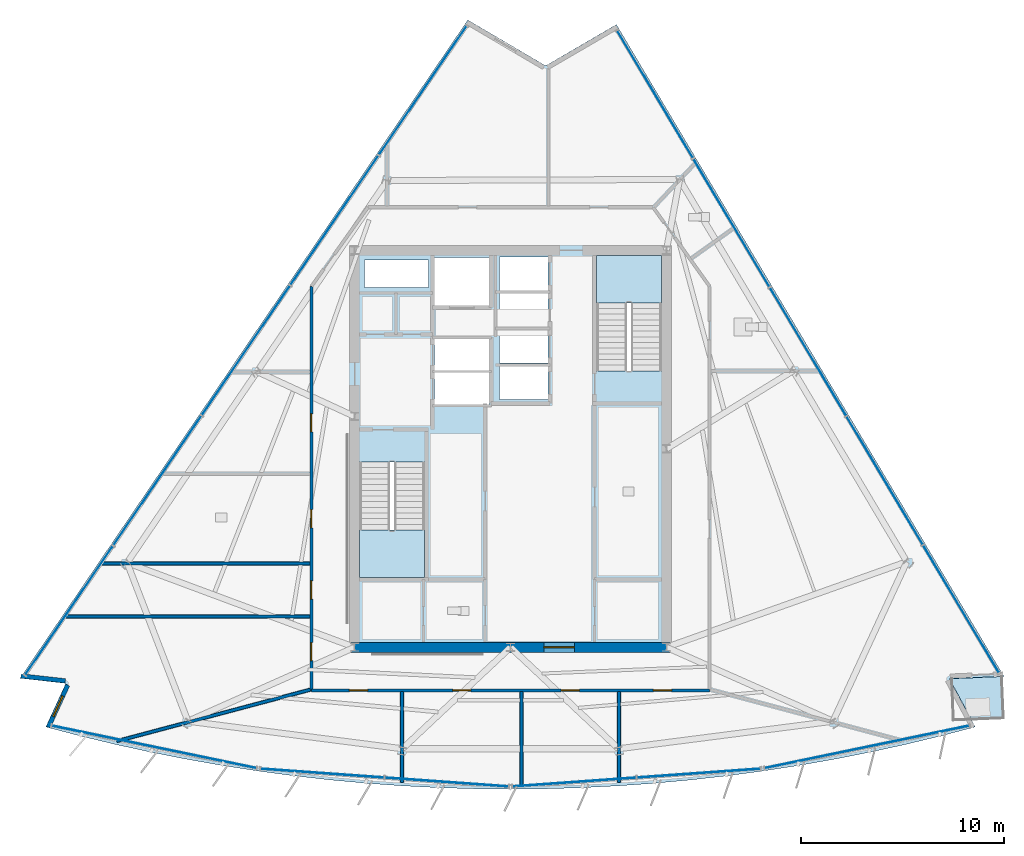
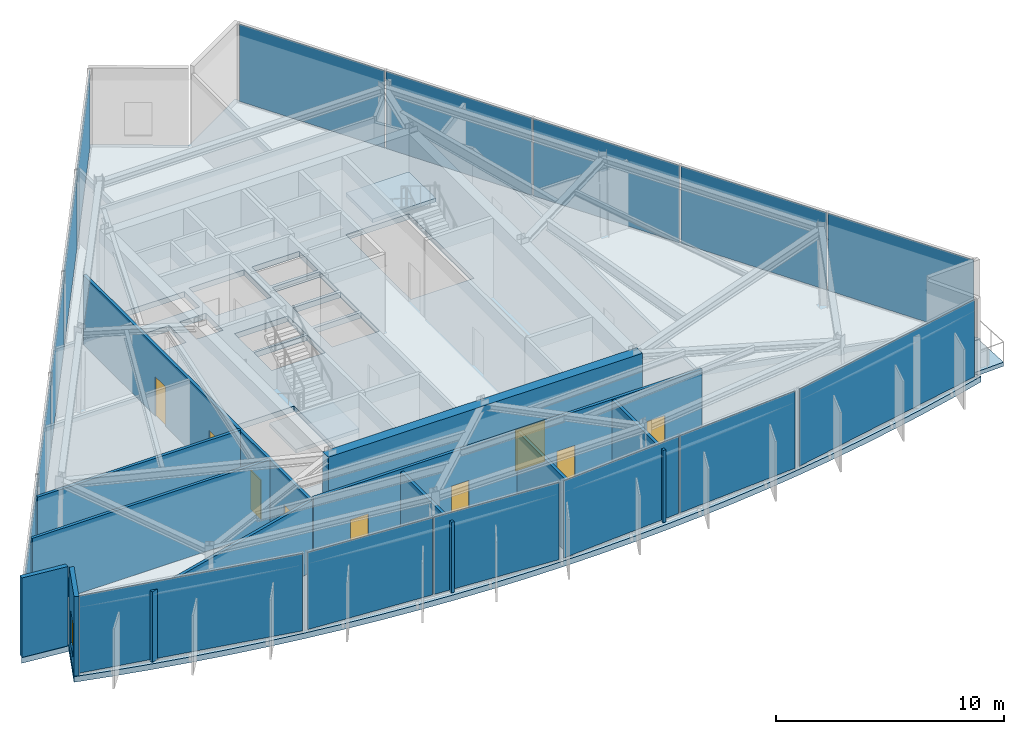
# One storey, part 6 of 12: 16 plates, 11 walls, 9 doors, 4 slabs, 1 window, 10 openings, 8 elements without a shape of their own.
"""IFC4 building model written with IfcOpenShell, lengths in metres."""

from ifc_helpers import new_model, si_unit, direction, frame, frame_2d, origin, origin_2d, place, context, subcontext, project, spatial, polyline, rectangle, outline, extrude, material, layer, layer_set, type_object, element, fill, aggregate, save


model = new_model("IFC4")

# Units and contexts
model_context = context("Model", 3, precision=1e-05, world=origin(), true_north=direction((0.0, 1.0)))
body_context = subcontext(model_context, "Body", "Model", "MODEL_VIEW")
ifc_project = project(units=[si_unit("LENGTHUNIT", "METRE"), si_unit("AREAUNIT", "SQUARE_METRE"), si_unit("VOLUMEUNIT", "CUBIC_METRE"), si_unit("PLANEANGLEUNIT", "RADIAN"), si_unit("MASSUNIT", "GRAM", prefix="KILO")], contexts=[model_context])

# Site, building, storey
site_placement = place(None, origin())
site = spatial("IfcSite", under=ifc_project, at=site_placement, CompositionType="ELEMENT")
building_placement = place(site_placement, origin())
building = spatial("IfcBuilding", under=site, at=building_placement, Name="Savorim Split Tower", CompositionType="ELEMENT")
storey_placement = place(building_placement, frame((0.0, 0.0, 246.300048828125)))
storey = spatial("IfcBuildingStorey", under=building, at=storey_placement, Name="L65", CompositionType="ELEMENT", Elevation=246.300048828125)

# Curtain wall, plate
ifc_material_1 = material(Name="Dark Ceramic-Fritted Insulated Glass", Category="glass")
curtain_wall_type = type_object("IfcCurtainWallType", Name="CW-SKY-ATRIUM", PredefinedType="NOTDEFINED", material=ifc_material_1)
curtain_wall_1_placement = place(storey_placement, origin())
curtain_wall_1 = element("IfcCurtainWall", 1, at=curtain_wall_1_placement, inside=storey, type_object=curtain_wall_type, Name="L65 Curtain Wall CW-L65-SF1", PredefinedType="NOTDEFINED")
ifc_layer_1 = layer(ifc_material_1, 0.028076171875)
ifc_layer_set_1 = layer_set([ifc_layer_1], Name="CWP-FRITA-28")
plate_type = type_object("IfcPlateType", Name="CWP-FRITA-28", PredefinedType="CURTAIN_PANEL", material=ifc_layer_set_1)
plate_1_placement = place(storey_placement, frame((-17.60107421875, -14.31982421875, 0.06005859375), z_axis=(0.0, 0.0, 1.0), x_axis=(0.979135673129, -0.20320761208, 0.0)))
plate_1 = element("IfcPlate", 2, at=plate_1_placement, type_object=plate_type, Name="CW-05 panel 1.1", PredefinedType="CURTAIN_PANEL", context=body_context, shape_type="SweptSolid", body=[
    extrude(rectangle(XDim=10.290283203125, YDim=0.028076171875, at=origin_2d()), origin(), (0.0, 0.0, 1.0), 4.1298828125),
])
aggregate(curtain_wall_1, [plate_1])

# Curtain wall, plates
curtain_wall_2_placement = place(storey_placement, origin())
curtain_wall_2 = element("IfcCurtainWall", 3, at=curtain_wall_2_placement, inside=storey, type_object=curtain_wall_type, Name="L65 Curtain Wall CW-L65-SF2", PredefinedType="NOTDEFINED")
plate_2_placement = place(storey_placement, frame((-9.289306640625, -15.616455078125, 0.06005859375), z_axis=(0.0, 0.0, 1.0), x_axis=(0.997436125678, -0.071562386711, 0.0)))
plate_2 = element("IfcPlate", 4, at=plate_2_placement, type_object=plate_type, Name="CW-05 panel 1.1", PredefinedType="CURTAIN_PANEL", context=body_context, shape_type="SweptSolid", body=[
    extrude(rectangle(XDim=6.081298828125, YDim=0.028076171875, at=origin_2d()), origin(), (0.0, 0.0, 1.0), 4.1298828125),
])
plate_3_placement = place(storey_placement, frame((-3.15380859375, -16.056640625, 0.06005859375), z_axis=(0.0, 0.0, 1.0), x_axis=(0.997436125678, -0.071562386711, 0.0)))
plate_3 = element("IfcPlate", 5, at=plate_3_placement, type_object=plate_type, Name="CW-05 panel 2.1", PredefinedType="CURTAIN_PANEL", context=body_context, shape_type="SweptSolid", body=[
    extrude(rectangle(XDim=6.081298828125, YDim=0.028076171875, at=origin_2d()), origin(), (0.0, 0.0, 1.0), 4.1298828125),
])
aggregate(curtain_wall_2, [plate_2, plate_3])

curtain_wall_3_placement = place(storey_placement, origin())
curtain_wall_3 = element("IfcCurtainWall", 6, at=curtain_wall_3_placement, inside=storey, type_object=curtain_wall_type, Name="L65 Curtain Wall CW-L65-SF3", PredefinedType="NOTDEFINED")
plate_4_placement = place(storey_placement, frame((3.15380859375, -16.056640625, 0.06005859375), z_axis=(0.0, 0.0, 1.0), x_axis=(0.997436125678, 0.071562386711, 0.0)))
plate_4 = element("IfcPlate", 7, at=plate_4_placement, type_object=plate_type, Name="CW-05 panel 1.1", PredefinedType="CURTAIN_PANEL", context=body_context, shape_type="SweptSolid", body=[
    extrude(rectangle(XDim=6.081298828125, YDim=0.028076171875, at=origin_2d()), origin(), (0.0, 0.0, 1.0), 4.1298828125),
])
plate_5_placement = place(storey_placement, frame((9.289306640625, -15.616455078125, 0.06005859375), z_axis=(0.0, 0.0, 1.0), x_axis=(0.997436125678, 0.071562386711, 0.0)))
plate_5 = element("IfcPlate", 8, at=plate_5_placement, type_object=plate_type, Name="CW-05 panel 2.1", PredefinedType="CURTAIN_PANEL", context=body_context, shape_type="SweptSolid", body=[
    extrude(rectangle(XDim=6.081298828125, YDim=0.028076171875, at=origin_2d()), origin(), (0.0, 0.0, 1.0), 4.1298828125),
])
aggregate(curtain_wall_3, [plate_4, plate_5])

# Curtain wall, plate
curtain_wall_4_placement = place(storey_placement, origin())
curtain_wall_4 = element("IfcCurtainWall", 9, at=curtain_wall_4_placement, inside=storey, type_object=curtain_wall_type, Name="L65 Curtain Wall CW-L65-SF4", PredefinedType="NOTDEFINED")
plate_6_placement = place(storey_placement, frame((17.60107421875, -14.31982421875, 0.06005859375), z_axis=(0.0, 0.0, 1.0), x_axis=(0.979135673129, 0.20320761208, 0.0)))
plate_6 = element("IfcPlate", 10, at=plate_6_placement, type_object=plate_type, Name="CW-05 panel 1.1", PredefinedType="CURTAIN_PANEL", context=body_context, shape_type="SweptSolid", body=[
    extrude(rectangle(XDim=10.290283203125, YDim=0.028076171875, at=origin_2d()), origin(), (0.0, 0.0, 1.0), 4.1298828125),
])
aggregate(curtain_wall_4, [plate_6])

# Curtain wall, plates
curtain_wall_5_placement = place(storey_placement, origin())
curtain_wall_5 = element("IfcCurtainWall", 11, at=curtain_wall_5_placement, inside=storey, type_object=curtain_wall_type, Name="L65 Curtain Wall CW-L65-EAST", PredefinedType="NOTDEFINED")
plate_7_placement = place(storey_placement, frame((22.25341796875, -7.509033203125, 0.06005859375), z_axis=(0.0, 0.0, 1.0), x_axis=(-0.511090446947, 0.859526936773, 0.0)))
plate_7 = element("IfcPlate", 12, at=plate_7_placement, type_object=plate_type, Name="CW-05 panel 1.1", PredefinedType="CURTAIN_PANEL", context=body_context, shape_type="SweptSolid", body=[
    extrude(rectangle(XDim=7.296142578125, YDim=0.028076171875, at=origin_2d()), origin(), (0.0, 0.0, 1.0), 4.1298828125),
])
plate_8_placement = place(storey_placement, frame((18.479736328125, -1.162353515625, 0.06005859375), z_axis=(0.0, 0.0, 1.0), x_axis=(-0.511090446947, 0.859526936773, 0.0)))
plate_8 = element("IfcPlate", 13, at=plate_8_placement, type_object=plate_type, Name="CW-05 panel 2.1", PredefinedType="CURTAIN_PANEL", context=body_context, shape_type="SweptSolid", body=[
    extrude(rectangle(XDim=7.331298828125, YDim=0.028076171875, at=origin_2d()), origin(), (0.0, 0.0, 1.0), 4.1298828125),
])
plate_9_placement = place(storey_placement, frame((14.697021484375, 5.19921875, 0.06005859375), z_axis=(0.0, 0.0, 1.0), x_axis=(-0.511090446947, 0.859526936773, 0.0)))
plate_9 = element("IfcPlate", 14, at=plate_9_placement, type_object=plate_type, Name="CW-05 panel 3.1", PredefinedType="CURTAIN_PANEL", context=body_context, shape_type="SweptSolid", body=[
    extrude(rectangle(XDim=7.331298828125, YDim=0.028076171875, at=origin_2d()), origin(), (0.0, 0.0, 1.0), 4.1298828125),
])
plate_10_placement = place(storey_placement, frame((10.914306640625, 11.560546875, 0.06005859375), z_axis=(0.0, 0.0, 1.0), x_axis=(-0.511090446947, 0.859526936773, 0.0)))
plate_10 = element("IfcPlate", 15, at=plate_10_placement, type_object=plate_type, Name="CW-05 panel 4.1", PredefinedType="CURTAIN_PANEL", context=body_context, shape_type="SweptSolid", body=[
    extrude(rectangle(XDim=7.331298828125, YDim=0.028076171875, at=origin_2d()), origin(), (0.0, 0.0, 1.0), 4.1298828125),
])
plate_11_placement = place(storey_placement, frame((7.140380859375, 17.9072265625, 0.06005859375), z_axis=(0.0, 0.0, 1.0), x_axis=(-0.511090446947, 0.859526936773, 0.0)))
plate_11 = element("IfcPlate", 16, at=plate_11_placement, type_object=plate_type, Name="CW-05 panel 5.1", PredefinedType="CURTAIN_PANEL", context=body_context, shape_type="SweptSolid", body=[
    extrude(rectangle(XDim=7.296142578125, YDim=0.028076171875, at=origin_2d()), origin(), (0.0, 0.0, 1.0), 4.1298828125),
])
aggregate(curtain_wall_5, [plate_7, plate_8, plate_9, plate_10, plate_11])

curtain_wall_6_placement = place(storey_placement, origin())
curtain_wall_6 = element("IfcCurtainWall", 17, at=curtain_wall_6_placement, inside=storey, type_object=curtain_wall_type, Name="L65 Curtain Wall CW-L65-WEST", PredefinedType="NOTDEFINED")
plate_12_placement = place(storey_placement, frame((-4.328369140625, 18.098876953125, 0.06005859375), z_axis=(0.0, 0.0, 1.0), x_axis=(-0.562469313826, -0.826818160785, 0.0)))
plate_12 = element("IfcPlate", 18, at=plate_12_placement, type_object=plate_type, Name="CW-05 panel 1.1", PredefinedType="CURTAIN_PANEL", context=body_context, shape_type="SweptSolid", body=[
    extrude(rectangle(XDim=7.669677734375, YDim=0.028076171875, at=origin_2d()), origin(), (0.0, 0.0, 1.0), 4.1298828125),
])
plate_13_placement = place(storey_placement, frame((-8.691650390625, 11.685302734375, 0.06005859375), z_axis=(0.0, 0.0, 1.0), x_axis=(-0.562469313826, -0.826818160785, 0.0)))
plate_13 = element("IfcPlate", 19, at=plate_13_placement, type_object=plate_type, Name="CW-05 panel 2.1", PredefinedType="CURTAIN_PANEL", context=body_context, shape_type="SweptSolid", body=[
    extrude(rectangle(XDim=7.70458984375, YDim=0.028076171875, at=origin_2d()), origin(), (0.0, 0.0, 1.0), 4.1298828125),
])
plate_14_placement = place(storey_placement, frame((-13.064453125, 5.257080078125, 0.06005859375), z_axis=(0.0, 0.0, 1.0), x_axis=(-0.562469313826, -0.826818160785, 0.0)))
plate_14 = element("IfcPlate", 20, at=plate_14_placement, type_object=plate_type, Name="CW-05 panel 3.1", PredefinedType="CURTAIN_PANEL", context=body_context, shape_type="SweptSolid", body=[
    extrude(rectangle(XDim=7.70458984375, YDim=0.028076171875, at=origin_2d()), origin(), (0.0, 0.0, 1.0), 4.1298828125),
])
plate_15_placement = place(storey_placement, frame((-17.4375, -1.171142578125, 0.06005859375), z_axis=(0.0, 0.0, 1.0), x_axis=(-0.562469313826, -0.826818160785, 0.0)))
plate_15 = element("IfcPlate", 21, at=plate_15_placement, type_object=plate_type, Name="CW-05 panel 4.1", PredefinedType="CURTAIN_PANEL", context=body_context, shape_type="SweptSolid", body=[
    extrude(rectangle(XDim=7.70458984375, YDim=0.028076171875, at=origin_2d()), origin(), (0.0, 0.0, 1.0), 4.1298828125),
])
plate_16_placement = place(storey_placement, frame((-21.800537109375, -7.584716796875, 0.06005859375), z_axis=(0.0, 0.0, 1.0), x_axis=(-0.562469313826, -0.826818160785, 0.0)))
plate_16 = element("IfcPlate", 22, at=plate_16_placement, type_object=plate_type, Name="CW-05 panel 5.1", PredefinedType="CURTAIN_PANEL", context=body_context, shape_type="SweptSolid", body=[
    extrude(rectangle(XDim=7.669677734375, YDim=0.028076171875, at=origin_2d()), origin(), (0.0, 0.0, 1.0), 4.1298828125),
])
aggregate(curtain_wall_6, [plate_12, plate_13, plate_14, plate_15, plate_16])

# Slab
ifc_material_2 = material(Name="Concrete C50/60", Category="concrete")
ifc_layer_2 = layer(ifc_material_2, 0.219970703125)
ifc_layer_set_2 = layer_set([ifc_layer_2], Name="SLB-BAL-220")
slab_type_1 = type_object("IfcSlabType", Name="SLB-BAL-220", PredefinedType="FLOOR", material=ifc_layer_set_2)
slab_1_placement = place(storey_placement, frame((0.0, 0.0, -0.219970703125)))
element("IfcSlab", 23, at=slab_1_placement, inside=storey, type_object=slab_type_1, Name="L65 Notched Corner Planted Tree Balcony Slab", PredefinedType="FLOOR", context=body_context, shape_type="SweptSolid", body=[
    extrude(outline(polyline([(24.24951171875, -10.8427734375), (21.787353515625, -10.947509765625), (21.79736328125, -11.17919921875), (22.749267578125, -12.953369140625), (24.336669921875, -12.8857421875), (24.24951171875, -10.8427734375)])), origin(), (0.0, 0.0, 1.0), 0.219970703125),
])

# Stair, slab
stair_type = type_object("IfcStairType", Name="STR-DOG-4500", PredefinedType="HALF_TURN_STAIR", material=ifc_material_2)
stair_1_placement = place(storey_placement, origin())
stair_1 = element("IfcStair", 24, at=stair_1_placement, inside=storey, type_object=stair_type, Name="L65 Core Protected Exit Stair ST-1", PredefinedType="HALF_TURN_STAIR")
ifc_layer_3 = layer(ifc_material_2, 0.199951171875)
ifc_layer_set_3 = layer_set([ifc_layer_3], Name="SLB-LND-200")
slab_type_2 = type_object("IfcSlabType", Name="SLB-LND-200", PredefinedType="LANDING", material=ifc_layer_set_3)
slab_2_placement = place(storey_placement, frame((0.0, 0.0, 2.050048828125)))
slab_2 = element("IfcSlab", 25, at=slab_2_placement, type_object=slab_type_2, Name="ST-1 landing 1", PredefinedType="LANDING", context=body_context, shape_type="SweptSolid", body=[
    extrude(outline(polyline([(-7.449951171875, -3.610107421875), (-7.449951171875, -5.949951171875), (-4.25, -5.949951171875), (-4.25, -3.610107421875), (-7.449951171875, -3.610107421875)])), origin(), (0.0, 0.0, 1.0), 0.199951171875),
])
aggregate(stair_1, [slab_2])

stair_2_placement = place(storey_placement, origin())
stair_2 = element("IfcStair", 26, at=stair_2_placement, inside=storey, type_object=stair_type, Name="L65 Core Protected Exit Stair ST-2", PredefinedType="HALF_TURN_STAIR")
slab_3_placement = place(storey_placement, frame((0.0, 0.0, 2.050048828125)))
slab_3 = element("IfcSlab", 27, at=slab_3_placement, type_object=slab_type_2, Name="ST-2 landing 1", PredefinedType="LANDING", context=body_context, shape_type="SweptSolid", body=[
    extrude(outline(polyline([(7.449951171875, 7.610107421875), (7.449951171875, 9.949951171875), (4.25, 9.949951171875), (4.25, 7.610107421875), (7.449951171875, 7.610107421875)])), origin(), (0.0, 0.0, 1.0), 0.199951171875),
])
aggregate(stair_2, [slab_3])

# Slab
ifc_layer_4 = layer(ifc_material_2, 0.300048828125)
ifc_layer_set_4 = layer_set([ifc_layer_4], Name="SLB-SKY-300")
slab_type_3 = type_object("IfcSlabType", Name="SLB-SKY-300", PredefinedType="FLOOR", material=ifc_layer_set_4)
slab_4_placement = place(storey_placement, frame((0.0, 0.0, -0.300048828125)))
element("IfcSlab", 28, at=slab_4_placement, inside=storey, type_object=slab_type_3, Name="L65 Structural Floor Slab", PredefinedType="FLOOR", context=body_context, shape_type="SweptSolid", body=[
    extrude(outline(polyline([(-22.947265625, -13.332763671875), (-21.21923828125, -13.78466796875), (-19.482421875, -14.201171875), (-17.7373046875, -14.58203125), (-15.984619140625, -14.927001953125), (-14.2255859375, -15.236083984375), (-12.46044921875, -15.50927734375), (-10.690185546875, -15.74609375), (-8.915283203125, -15.94677734375), (-7.13671875, -16.111083984375), (-5.35498046875, -16.23876953125), (-3.5712890625, -16.330078125), (-1.785888671875, -16.385009765625), (0.0, -16.4033203125), (1.785888671875, -16.385009765625), (3.5712890625, -16.330078125), (5.35498046875, -16.23876953125), (7.13671875, -16.111083984375), (8.915283203125, -15.94677734375), (10.690185546875, -15.74609375), (12.46044921875, -15.50927734375), (14.2255859375, -15.236083984375), (15.984619140625, -14.927001953125), (17.7373046875, -14.58203125), (19.482421875, -14.201171875), (21.21923828125, -13.78466796875), (22.947265625, -13.332763671875), (21.667236328125, -10.947509765625), (24.369384765625, -10.83251953125), (5.23095703125, 21.353515625), (1.7373046875, 19.317138671875), (-2.107666015625, 21.576904296875), (-24.219970703125, -10.927734375), (-21.958251953125, -11.180419921875), (-22.947265625, -13.332763671875)]), holes=[polyline([(-7.449951171875, -0.25390625), (-7.449951171875, -5.949951171875), (-4.25, -5.949951171875), (-4.25, -0.25390625), (-7.449951171875, -0.25390625)]), polyline([(7.449951171875, 4.25390625), (7.449951171875, 9.949951171875), (4.25, 9.949951171875), (4.25, 4.25390625), (7.449951171875, 4.25390625)]), polyline([(-0.550048828125, 2.830078125), (1.85009765625, 2.830078125), (1.85009765625, 4.469970703125), (-0.550048828125, 4.469970703125), (-0.550048828125, 2.830078125)]), polyline([(-0.550048828125, 4.6298828125), (1.85009765625, 4.6298828125), (1.85009765625, 6.27001953125), (-0.550048828125, 6.27001953125), (-0.550048828125, 4.6298828125)]), polyline([(-0.550048828125, 6.429931640625), (1.85009765625, 6.429931640625), (1.85009765625, 8.070068359375), (-0.550048828125, 8.070068359375), (-0.550048828125, 6.429931640625)]), polyline([(-0.550048828125, 8.22998046875), (1.85009765625, 8.22998046875), (1.85009765625, 9.8701171875), (-0.550048828125, 9.8701171875), (-0.550048828125, 8.22998046875)]), polyline([(-3.75, 2.60009765625), (-1.050048828125, 2.60009765625), (-1.050048828125, 4.159912109375), (-3.75, 4.159912109375), (-3.75, 2.60009765625)]), polyline([(-3.75, 4.280029296875), (-1.050048828125, 4.280029296875), (-1.050048828125, 5.840087890625), (-3.75, 5.840087890625), (-3.75, 4.280029296875)]), polyline([(-3.75, 7.449951171875), (-0.949951171875, 7.449951171875), (-0.949951171875, 9.85009765625), (-3.75, 9.85009765625), (-3.75, 7.449951171875)]), polyline([(-7.219970703125, 6.320068359375), (-5.919921875, 6.320068359375), (-5.919921875, 7.820068359375), (-7.219970703125, 7.820068359375), (-7.219970703125, 6.320068359375)]), polyline([(-5.3798828125, 6.320068359375), (-4.050048828125, 6.320068359375), (-4.050048828125, 7.820068359375), (-5.3798828125, 7.820068359375), (-5.3798828125, 6.320068359375)]), polyline([(-7.219970703125, 8.360107421875), (-4.050048828125, 8.360107421875), (-4.050048828125, 9.719970703125), (-7.219970703125, 9.719970703125), (-7.219970703125, 8.360107421875)])]), origin(), (0.0, 0.0, 1.0), 0.300048828125),
])

# Wall, opening, door
ifc_material_3 = material(Name="Concrete C60/75", Category="concrete")
ifc_layer_5 = layer(ifc_material_3, 0.5)
ifc_layer_set_5 = layer_set([ifc_layer_5], Name="WAL-COR-SH500")
wall_type_1 = type_object("IfcWallType", Name="WAL-COR-SH500", PredefinedType="SHEAR", material=ifc_layer_set_5)
wall_1_placement = place(storey_placement, frame((-7.949951171875, -9.39990234375, 0.0), z_axis=(0.0, 0.0, 1.0), x_axis=(1.0, 0.0, 0.0)))
wall_1 = element("IfcWall", 29, at=wall_1_placement, inside=storey, type_object=wall_type_1, Name="L65 Offset Core South Shear Wall", PredefinedType="SHEAR", context=body_context, shape_type="SweptSolid", body=[
    extrude(rectangle(XDim=15.89990234375, YDim=0.5, at=frame_2d((7.949951171875, 0.0))), origin(), (0.0, 0.0, 1.0), 4.25),
])
opening_1_placement = place(wall_1_placement, frame((9.60009765625, 0.0, 0.0)))
opening_1 = element("IfcOpeningElement", 30, at=opening_1_placement, cuts=wall_1, Name="Opening DI-02", PredefinedType="OPENING", context=body_context, shape_type="SweptSolid", body=[
    extrude(rectangle(XDim=1.5, YDim=2.199951171875, at=frame_2d((0.75, 1.10009765625))), frame((0.0, 0.260009765625, 0.0), z_axis=(0.0, -1.0, 0.0), x_axis=(1.0, 0.0, 0.0)), (0.0, 0.0, 1.0), 0.52001953125),
])
ifc_material_4 = material(Name="Timber Fire Door Leaf", Category="wood")
door_type_1 = type_object("IfcDoorType", Name="DOR-DBL-1500", OperationType="NOTDEFINED", PredefinedType="DOOR", material=ifc_material_4)
door_1_placement = place(opening_1_placement, origin())
door_1 = element("IfcDoor", 31, at=door_1_placement, inside=storey, type_object=door_type_1, Name="DOR-L65-COR-LLOB - L65 Lift Lobby Main Rated Door", OperationType="DOUBLE_DOOR_SINGLE_SWING", OverallHeight=2.199951171875, OverallWidth=1.5, PredefinedType="DOOR", context=body_context, shape_type="SweptSolid", body=[
    extrude(rectangle(XDim=1.5, YDim=2.199951171875, at=frame_2d((0.75, 1.10009765625))), frame((0.0, 0.02490234375, 0.0), z_axis=(0.0, -1.0, 0.0), x_axis=(1.0, 0.0, 0.0)), (0.0, 0.0, 1.0), 0.050048828125),
])
fill(opening_1, door_1)

# Wall
ifc_material_5 = material(Name="Precast concrete C40/50", Category="concrete")
ifc_layer_6 = layer(ifc_material_5, 0.219970703125)
ifc_layer_set_6 = layer_set([ifc_layer_6], Name="WAL-EXT-CRN220")
wall_type_2 = type_object("IfcWallType", Name="WAL-EXT-CRN220", PredefinedType="SOLIDWALL", material=ifc_layer_set_6)
wall_2_placement = place(storey_placement, frame((-21.984619140625, -11.056640625, 0.0), z_axis=(0.0, 0.0, 1.0), x_axis=(-0.993823926228, 0.110968480463, 0.0)))
element("IfcWall", 32, at=wall_2_placement, inside=storey, type_object=wall_type_2, Name="L65 Notched Corner Facade Wall SW1", PredefinedType="SOLIDWALL", context=body_context, shape_type="SweptSolid", body=[
    extrude(rectangle(XDim=2.19580078125, YDim=0.219970703125, at=frame_2d((1.097900390625, 0.0))), origin(), (0.0, 0.0, 1.0), 4.25),
])

# Wall, opening, window
wall_3_placement = place(storey_placement, frame((-22.821533203125, -13.3466796875, 0.0), z_axis=(0.0, 0.0, 1.0), x_axis=(0.417447808253, 0.908700900949, 0.0)))
wall_3 = element("IfcWall", 33, at=wall_3_placement, inside=storey, type_object=wall_type_2, Name="L65 Notched Corner Facade Wall SW", PredefinedType="SOLIDWALL", context=body_context, shape_type="SweptSolid", body=[
    extrude(rectangle(XDim=2.2890625, YDim=0.219970703125, at=frame_2d((1.14453125, 0.0))), origin(), (0.0, 0.0, 1.0), 4.25),
])
opening_2_placement = place(wall_3_placement, frame((0.594482421875, 0.0, 0.6201171875)))
opening_2 = element("IfcOpeningElement", 34, at=opening_2_placement, cuts=wall_3, Name="Opening WN-09", PredefinedType="OPENING", context=body_context, shape_type="SweptSolid", body=[
    extrude(rectangle(XDim=1.10009765625, YDim=1.800048828125, at=frame_2d((0.550048828125, 0.89990234375))), frame((0.0, 0.119873046875, 0.0), z_axis=(0.0, -1.0, 0.0), x_axis=(1.0, 0.0, 0.0)), (0.0, 0.0, 1.0), 0.239990234375),
])
ifc_material_6 = material(Name="Low-E Operable Double Glazing", Category="glass")
window_type = type_object("IfcWindowType", Name="WIN-TWR-1100x1800", PartitioningType="SINGLE_PANEL", PredefinedType="WINDOW", material=ifc_material_6)
window_placement = place(opening_2_placement, origin())
window = element("IfcWindow", 35, at=window_placement, inside=storey, type_object=window_type, Name="L65 Operable Corner Window SW", OverallHeight=1.800048828125, OverallWidth=1.10009765625, PartitioningType="SINGLE_PANEL", PredefinedType="WINDOW", context=body_context, shape_type="SweptSolid", body=[
    extrude(rectangle(XDim=1.10009765625, YDim=1.800048828125, at=frame_2d((0.550048828125, 0.89990234375))), frame((0.0, 0.030029296875, 0.0), z_axis=(0.0, -1.0, 0.0), x_axis=(1.0, 0.0, 0.0)), (0.0, 0.0, 1.0), 0.06005859375),
])
fill(opening_2, window)

# Wall, openings, doors
ifc_material_7 = material(Name="Acoustic Gypsum Partition Board")
ifc_layer_7 = layer(ifc_material_7, 0.14990234375)
ifc_layer_set_7 = layer_set([ifc_layer_7], Name="WAL-PAR-150")
wall_type_3 = type_object("IfcWallType", Name="WAL-PAR-150", PredefinedType="PARTITIONING", material=ifc_layer_set_7)
wall_4_placement = place(storey_placement, frame((-9.830078125, -11.530029296875, 0.0), z_axis=(0.0, 0.0, 1.0), x_axis=(0.0, 1.0, 0.0)))
wall_4 = element("IfcWall", 36, at=wall_4_placement, inside=storey, type_object=wall_type_3, Name="L65 Partition W-L65-COR-01", PredefinedType="PARTITIONING", context=body_context, shape_type="SweptSolid", body=[
    extrude(rectangle(XDim=19.95556640625, YDim=0.14990234375, at=frame_2d((9.977783203125, 0.0))), origin(), (0.0, 0.0, 1.0), 3.724853515625),
])
opening_3_placement = place(wall_4_placement, frame((8.03369140625, 0.0, 0.0)))
opening_3 = element("IfcOpeningElement", 37, at=opening_3_placement, cuts=wall_4, Name="Opening DI-06", PredefinedType="OPENING", context=body_context, shape_type="SweptSolid", body=[
    extrude(rectangle(XDim=0.89990234375, YDim=2.10009765625, at=frame_2d((0.449951171875, 1.050048828125))), frame((0.0, 0.0849609375, 0.0), z_axis=(0.0, -1.0, 0.0), x_axis=(1.0, 0.0, 0.0)), (0.0, 0.0, 1.0), 0.169921875),
])
opening_4_placement = place(wall_4_placement, frame((4.5126953125, 0.0, 0.0)))
opening_4 = element("IfcOpeningElement", 38, at=opening_4_placement, cuts=wall_4, Name="Opening DI-06", PredefinedType="OPENING", context=body_context, shape_type="SweptSolid", body=[
    extrude(rectangle(XDim=0.89990234375, YDim=2.10009765625, at=frame_2d((0.449951171875, 1.050048828125))), frame((0.0, 0.0849609375, 0.0), z_axis=(0.0, -1.0, 0.0), x_axis=(1.0, 0.0, 0.0)), (0.0, 0.0, 1.0), 0.169921875),
])
opening_5_placement = place(wall_4_placement, frame((1.467529296875, 0.0, 0.0)))
opening_5 = element("IfcOpeningElement", 39, at=opening_5_placement, cuts=wall_4, Name="Opening DI-06", PredefinedType="OPENING", context=body_context, shape_type="SweptSolid", body=[
    extrude(rectangle(XDim=0.89990234375, YDim=2.10009765625, at=frame_2d((0.449951171875, 1.050048828125))), frame((0.0, 0.0849609375, 0.0), z_axis=(0.0, -1.0, 0.0), x_axis=(1.0, 0.0, 0.0)), (0.0, 0.0, 1.0), 0.169921875),
])
opening_6_placement = place(wall_4_placement, frame((12.76318359375, 0.0, 0.0)))
opening_6 = element("IfcOpeningElement", 40, at=opening_6_placement, cuts=wall_4, Name="Opening DI-06", PredefinedType="OPENING", context=body_context, shape_type="SweptSolid", body=[
    extrude(rectangle(XDim=0.89990234375, YDim=2.10009765625, at=frame_2d((0.449951171875, 1.050048828125))), frame((0.0, 0.0849609375, 0.0), z_axis=(0.0, -1.0, 0.0), x_axis=(1.0, 0.0, 0.0)), (0.0, 0.0, 1.0), 0.169921875),
])
door_type_2 = type_object("IfcDoorType", Name="DOR-FIR-900", OperationType="NOTDEFINED", PredefinedType="DOOR", material=ifc_material_4)
door_2_placement = place(opening_3_placement, origin())
door_2 = element("IfcDoor", 41, at=door_2_placement, inside=storey, type_object=door_type_2, Name="DR-L65-RM01 - L65 Communal Kitchen Entry Door", OperationType="SINGLE_SWING_RIGHT", OverallHeight=2.10009765625, OverallWidth=0.89990234375, PredefinedType="DOOR", context=body_context, shape_type="SweptSolid", body=[
    extrude(rectangle(XDim=0.89990234375, YDim=2.10009765625, at=frame_2d((0.449951171875, 1.050048828125))), frame((0.0, 0.02490234375, 0.0), z_axis=(0.0, -1.0, 0.0), x_axis=(1.0, 0.0, 0.0)), (0.0, 0.0, 1.0), 0.050048828125),
])
fill(opening_3, door_2)
door_3_placement = place(opening_4_placement, origin())
door_3 = element("IfcDoor", 42, at=door_3_placement, inside=storey, type_object=door_type_2, Name="DR-L65-RM02 - L65 Quiet Study Room Entry Door", OperationType="SINGLE_SWING_LEFT", OverallHeight=2.10009765625, OverallWidth=0.89990234375, PredefinedType="DOOR", context=body_context, shape_type="SweptSolid", body=[
    extrude(rectangle(XDim=0.89990234375, YDim=2.10009765625, at=frame_2d((0.449951171875, 1.050048828125))), frame((0.0, 0.02490234375, 0.0), z_axis=(0.0, -1.0, 0.0), x_axis=(1.0, 0.0, 0.0)), (0.0, 0.0, 1.0), 0.050048828125),
])
fill(opening_4, door_3)
door_4_placement = place(opening_5_placement, origin())
door_4 = element("IfcDoor", 43, at=door_4_placement, inside=storey, type_object=door_type_2, Name="DR-L65-RM03 - L65 Co-Working Commons Entry Door", OperationType="SINGLE_SWING_RIGHT", OverallHeight=2.10009765625, OverallWidth=0.89990234375, PredefinedType="DOOR", context=body_context, shape_type="SweptSolid", body=[
    extrude(rectangle(XDim=0.89990234375, YDim=2.10009765625, at=frame_2d((0.449951171875, 1.050048828125))), frame((0.0, 0.02490234375, 0.0), z_axis=(0.0, -1.0, 0.0), x_axis=(1.0, 0.0, 0.0)), (0.0, 0.0, 1.0), 0.050048828125),
])
fill(opening_5, door_4)
door_5_placement = place(opening_6_placement, origin())
door_5 = element("IfcDoor", 44, at=door_5_placement, inside=storey, type_object=door_type_2, Name="DR-L65-RM14 - L65 Quiet Study Room Entry Door", OperationType="SINGLE_SWING_LEFT", OverallHeight=2.10009765625, OverallWidth=0.89990234375, PredefinedType="DOOR", context=body_context, shape_type="SweptSolid", body=[
    extrude(rectangle(XDim=0.89990234375, YDim=2.10009765625, at=frame_2d((0.449951171875, 1.050048828125))), frame((0.0, 0.02490234375, 0.0), z_axis=(0.0, -1.0, 0.0), x_axis=(1.0, 0.0, 0.0)), (0.0, 0.0, 1.0), 0.050048828125),
])
fill(opening_6, door_5)

wall_5_placement = place(storey_placement, frame((9.830078125, -11.530029296875, 0.0), z_axis=(0.0, 0.0, 1.0), x_axis=(-1.0, 0.0, 0.0)))
wall_5 = element("IfcWall", 45, at=wall_5_placement, inside=storey, type_object=wall_type_3, Name="L65 Partition W-L65-COR-06", PredefinedType="PARTITIONING", context=body_context, shape_type="SweptSolid", body=[
    extrude(rectangle(XDim=19.66015625, YDim=0.14990234375, at=frame_2d((9.830078125, 0.0))), origin(), (0.0, 0.0, 1.0), 3.905029296875),
])
opening_7_placement = place(wall_5_placement, frame((16.881103515625, 0.0, 0.0)))
opening_7 = element("IfcOpeningElement", 46, at=opening_7_placement, cuts=wall_5, Name="Opening DI-06", PredefinedType="OPENING", context=body_context, shape_type="SweptSolid", body=[
    extrude(rectangle(XDim=0.89990234375, YDim=2.10009765625, at=frame_2d((0.449951171875, 1.050048828125))), frame((0.0, 0.0849609375, 0.0), z_axis=(0.0, -1.0, 0.0), x_axis=(1.0, 0.0, 0.0)), (0.0, 0.0, 1.0), 0.169921875),
])
opening_8_placement = place(wall_5_placement, frame((11.7802734375, 0.0, 0.0)))
opening_8 = element("IfcOpeningElement", 47, at=opening_8_placement, cuts=wall_5, Name="Opening DI-06", PredefinedType="OPENING", context=body_context, shape_type="SweptSolid", body=[
    extrude(rectangle(XDim=0.89990234375, YDim=2.10009765625, at=frame_2d((0.449951171875, 1.050048828125))), frame((0.0, 0.0849609375, 0.0), z_axis=(0.0, -1.0, 0.0), x_axis=(1.0, 0.0, 0.0)), (0.0, 0.0, 1.0), 0.169921875),
])
opening_9_placement = place(wall_5_placement, frame((6.4296875, 0.0, 0.0)))
opening_9 = element("IfcOpeningElement", 48, at=opening_9_placement, cuts=wall_5, Name="Opening DI-06", PredefinedType="OPENING", context=body_context, shape_type="SweptSolid", body=[
    extrude(rectangle(XDim=0.89990234375, YDim=2.10009765625, at=frame_2d((0.449951171875, 1.050048828125))), frame((0.0, 0.0849609375, 0.0), z_axis=(0.0, -1.0, 0.0), x_axis=(1.0, 0.0, 0.0)), (0.0, 0.0, 1.0), 0.169921875),
])
opening_10_placement = place(wall_5_placement, frame((1.87890625, 0.0, 0.0)))
opening_10 = element("IfcOpeningElement", 49, at=opening_10_placement, cuts=wall_5, Name="Opening DI-06", PredefinedType="OPENING", context=body_context, shape_type="SweptSolid", body=[
    extrude(rectangle(XDim=0.89990234375, YDim=2.10009765625, at=frame_2d((0.449951171875, 1.050048828125))), frame((0.0, 0.0849609375, 0.0), z_axis=(0.0, -1.0, 0.0), x_axis=(1.0, 0.0, 0.0)), (0.0, 0.0, 1.0), 0.169921875),
])
door_6_placement = place(opening_7_placement, origin())
door_6 = element("IfcDoor", 50, at=door_6_placement, inside=storey, type_object=door_type_2, Name="DR-L65-RM04 - L65 Communal Lounge Entry Door", OperationType="SINGLE_SWING_LEFT", OverallHeight=2.10009765625, OverallWidth=0.89990234375, PredefinedType="DOOR", context=body_context, shape_type="SweptSolid", body=[
    extrude(rectangle(XDim=0.89990234375, YDim=2.10009765625, at=frame_2d((0.449951171875, 1.050048828125))), frame((0.0, 0.02490234375, 0.0), z_axis=(0.0, -1.0, 0.0), x_axis=(1.0, 0.0, 0.0)), (0.0, 0.0, 1.0), 0.050048828125),
])
fill(opening_7, door_6)
door_7_placement = place(opening_8_placement, origin())
door_7 = element("IfcDoor", 51, at=door_7_placement, inside=storey, type_object=door_type_2, Name="DR-L65-RM05 - L65 Co-Working Commons Entry Door", OperationType="SINGLE_SWING_RIGHT", OverallHeight=2.10009765625, OverallWidth=0.89990234375, PredefinedType="DOOR", context=body_context, shape_type="SweptSolid", body=[
    extrude(rectangle(XDim=0.89990234375, YDim=2.10009765625, at=frame_2d((0.449951171875, 1.050048828125))), frame((0.0, 0.02490234375, 0.0), z_axis=(0.0, -1.0, 0.0), x_axis=(1.0, 0.0, 0.0)), (0.0, 0.0, 1.0), 0.050048828125),
])
fill(opening_8, door_7)
door_8_placement = place(opening_9_placement, origin())
door_8 = element("IfcDoor", 52, at=door_8_placement, inside=storey, type_object=door_type_2, Name="DR-L65-RM06 - L65 Sky Lobby Entry Door", OperationType="SINGLE_SWING_LEFT", OverallHeight=2.10009765625, OverallWidth=0.89990234375, PredefinedType="DOOR", context=body_context, shape_type="SweptSolid", body=[
    extrude(rectangle(XDim=0.89990234375, YDim=2.10009765625, at=frame_2d((0.449951171875, 1.050048828125))), frame((0.0, 0.02490234375, 0.0), z_axis=(0.0, -1.0, 0.0), x_axis=(1.0, 0.0, 0.0)), (0.0, 0.0, 1.0), 0.050048828125),
])
fill(opening_9, door_8)
door_9_placement = place(opening_10_placement, origin())
door_9 = element("IfcDoor", 53, at=door_9_placement, inside=storey, type_object=door_type_2, Name="DR-L65-RM07 - L65 Co-Working Commons Entry Door", OperationType="SINGLE_SWING_RIGHT", OverallHeight=2.10009765625, OverallWidth=0.89990234375, PredefinedType="DOOR", context=body_context, shape_type="SweptSolid", body=[
    extrude(rectangle(XDim=0.89990234375, YDim=2.10009765625, at=frame_2d((0.449951171875, 1.050048828125))), frame((0.0, 0.02490234375, 0.0), z_axis=(0.0, -1.0, 0.0), x_axis=(1.0, 0.0, 0.0)), (0.0, 0.0, 1.0), 0.050048828125),
])
fill(opening_10, door_9)

# Walls
wall_6_placement = place(storey_placement, frame((-9.8837890625, -11.490478515625, 0.0), z_axis=(0.0, 0.0, 1.0), x_axis=(-0.96635442317, -0.257214169168, 0.0)))
element("IfcWall", 54, at=wall_6_placement, inside=storey, type_object=wall_type_3, Name="L65 Partition W-L65-SLR01", PredefinedType="PARTITIONING", context=body_context, shape_type="SweptSolid", body=[
    extrude(rectangle(XDim=9.894287109375, YDim=0.14990234375, at=frame_2d((4.947265625, 0.0))), origin(), (0.0, 0.0, 1.0), 3.77490234375),
])
wall_7_placement = place(storey_placement, frame((-5.3505859375, -11.590087890625, 0.0), z_axis=(0.0, 0.0, 1.0), x_axis=(0.0, -1.0, 0.0)))
element("IfcWall", 55, at=wall_7_placement, inside=storey, type_object=wall_type_3, Name="L65 Partition W-L65-SLR02", PredefinedType="PARTITIONING", context=body_context, shape_type="SweptSolid", body=[
    extrude(rectangle(XDim=4.478515625, YDim=0.14990234375, at=frame_2d((2.2392578125, 0.0))), origin(), (0.0, 0.0, 1.0), 3.77490234375),
])
wall_8_placement = place(storey_placement, frame((5.3505859375, -11.590087890625, 0.0), z_axis=(0.0, 0.0, 1.0), x_axis=(0.0, -1.0, 0.0)))
element("IfcWall", 56, at=wall_8_placement, inside=storey, type_object=wall_type_3, Name="L65 Partition W-L65-SLR03", PredefinedType="PARTITIONING", context=body_context, shape_type="SweptSolid", body=[
    extrude(rectangle(XDim=4.478515625, YDim=0.14990234375, at=frame_2d((2.2392578125, 0.0))), origin(), (0.0, 0.0, 1.0), 3.875),
])
wall_9_placement = place(storey_placement, frame((-9.889892578125, -5.260986328125, 0.0), z_axis=(0.0, 0.0, 1.0), x_axis=(-1.0, 0.0, 0.0)))
element("IfcWall", 57, at=wall_9_placement, inside=storey, type_object=wall_type_3, Name="L65 Partition W-L65-SLR10", PredefinedType="PARTITIONING", context=body_context, shape_type="SweptSolid", body=[
    extrude(rectangle(XDim=10.26953125, YDim=0.14990234375, at=frame_2d((5.134765625, 0.0))), origin(), (0.0, 0.0, 1.0), 3.77490234375),
])
wall_10_placement = place(storey_placement, frame((-9.889892578125, -7.873291015625, 0.0), z_axis=(0.0, 0.0, 1.0), x_axis=(-1.0, 0.0, 0.0)))
element("IfcWall", 58, at=wall_10_placement, inside=storey, type_object=wall_type_3, Name="L65 Partition W-L65-SLSUB02", PredefinedType="PARTITIONING", context=body_context, shape_type="SweptSolid", body=[
    extrude(rectangle(XDim=12.046630859375, YDim=0.14990234375, at=frame_2d((6.0234375, 0.0))), origin(), (0.0, 0.0, 1.0), 3.77490234375),
])
wall_11_placement = place(storey_placement, frame((0.550048828125, -11.590087890625, 0.0), z_axis=(0.0, 0.0, 1.0), x_axis=(0.0, -1.0, 0.0)))
element("IfcWall", 59, at=wall_11_placement, inside=storey, type_object=wall_type_3, Name="L65 Partition W-L65-SLSUB03", PredefinedType="PARTITIONING", context=body_context, shape_type="SweptSolid", body=[
    extrude(rectangle(XDim=4.637451171875, YDim=0.14990234375, at=frame_2d((2.31884765625, 0.0))), origin(), (0.0, 0.0, 1.0), 3.864990234375),
])

save(model, "model.ifc")
